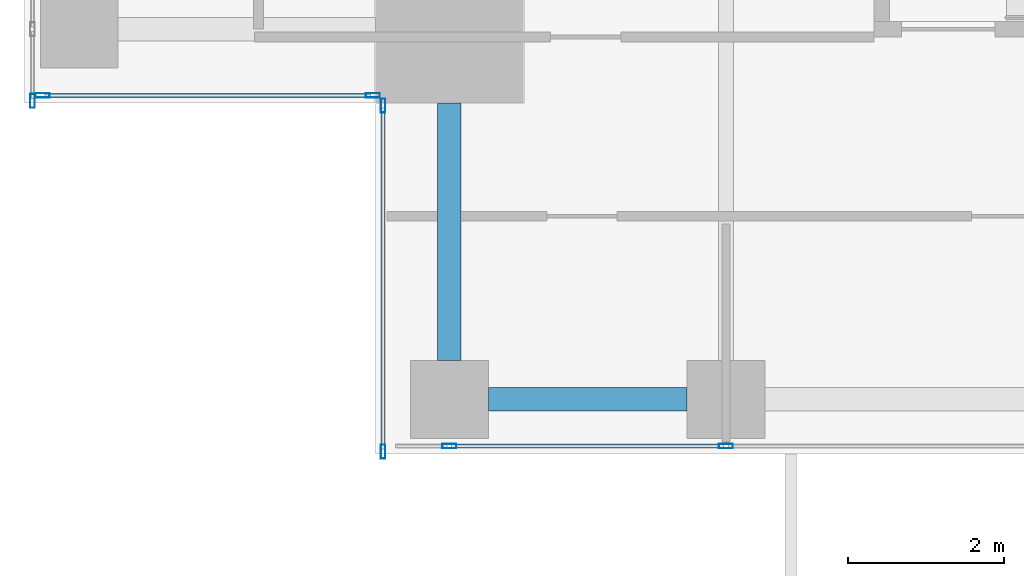
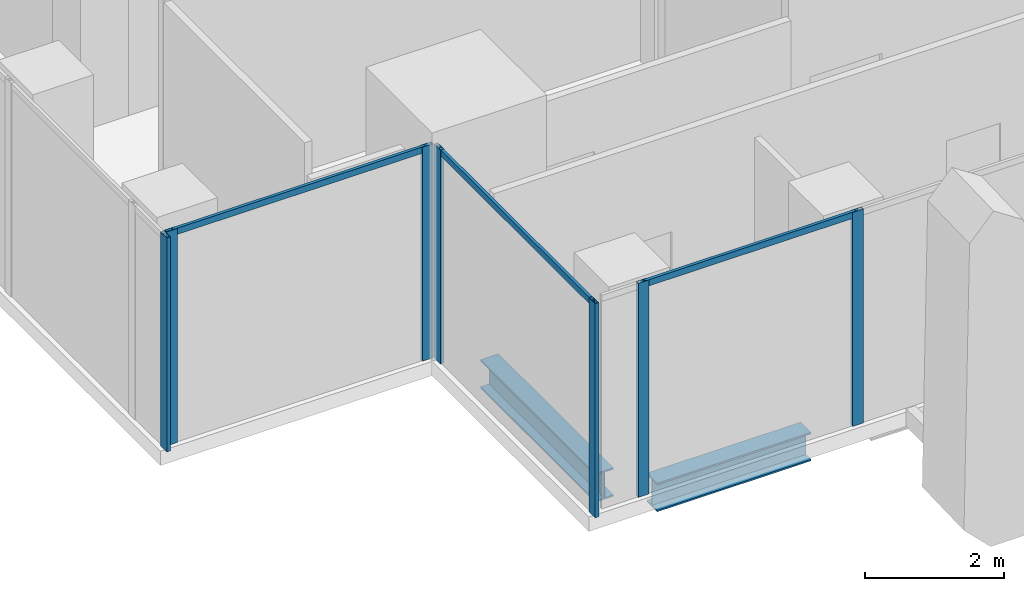
# One storey, part 2 of 38: 10 members, 2 beams, 4 elements without a shape of their own.
"""IFC4 building model written with IfcOpenShell, lengths in metres."""

from ifc_helpers import new_model, si_unit, direction, frame, origin, origin_2d, place, context, subcontext, project, spatial, hollow_rectangle, i_section, extrude, source, transform, mapped, material, material_profile, profile_set, type_object, element, aggregate, save


model = new_model("IFC4")

# Units and contexts
model_context = context("Model", 3, precision=1e-05, world=origin(), true_north=direction((0.0, 1.0)))
body_context = subcontext(model_context, "Body", "Model", "MODEL_VIEW")
ifc_project = project(units=[si_unit("LENGTHUNIT", "METRE"), si_unit("AREAUNIT", "SQUARE_METRE"), si_unit("VOLUMEUNIT", "CUBIC_METRE"), si_unit("PLANEANGLEUNIT", "RADIAN"), si_unit("MASSUNIT", "GRAM", prefix="KILO")], contexts=[model_context])

# Site, building, storey
site_placement = place(None, origin())
site = spatial("IfcSite", under=ifc_project, at=site_placement, CompositionType="ELEMENT")
building_placement = place(site_placement, origin())
building = spatial("IfcBuilding", under=site, at=building_placement, Name="Khomas Fold Tower", CompositionType="ELEMENT")
storey_placement = place(building_placement, frame((0.0, 0.0, 208.699951171875)))
storey = spatial("IfcBuildingStorey", under=building, at=storey_placement, Name="L46", CompositionType="ELEMENT", Elevation=208.699951171875)

# Beams
ifc_material_1 = material(Name="Steel S355", Category="steel")
ifc_material_profile_1 = material_profile(ifc_material_1, i_section(OverallWidth=0.300048828125, OverallDepth=0.5, WebThickness=0.014404296875, FlangeThickness=0.028076171875, at=origin_2d()), Name="HE 500 B")
ifc_profile_set_1 = profile_set([ifc_material_profile_1], Name="Steel S355")
beam_type = type_object("IfcBeamType", Name="HE 500 B spandrel SB3", PredefinedType="SPANDREL", material=ifc_profile_set_1)
shared_shape_1 = source(origin(), body_context, "Body", "SweptSolid", [
    extrude(i_section(OverallWidth=0.300048828125, OverallDepth=0.5, WebThickness=0.014404296875, FlangeThickness=0.028076171875, at=origin_2d()), origin(), (0.0, 0.0, 1.0), 2.550048828125),
])
beam_1_placement = place(storey_placement, frame((8.949951171875, 3.699951171875, -0.5), z_axis=(1.0, 0.0, 0.0), x_axis=(0.0, 1.0, 0.0)))
element("IfcBeam", 1, at=beam_1_placement, inside=storey, type_object=beam_type, Name="SB3", PredefinedType="SPANDREL", context=body_context, shape_type="MappedRepresentation", body=[
    mapped(shared_shape_1, transform((0.0, 0.0, 0.0))),
])
shared_shape_2 = source(origin(), body_context, "Body", "SweptSolid", [
    extrude(i_section(OverallWidth=0.300048828125, OverallDepth=0.5, WebThickness=0.014404296875, FlangeThickness=0.028076171875, at=origin_2d()), origin(), (0.0, 0.0, 1.0), 3.300048828125),
])
beam_2_placement = place(storey_placement, frame((8.449951171875, 4.199951171875, -0.5), z_axis=(0.0, 1.0, 0.0), x_axis=(-1.0, 0.0, 0.0)))
element("IfcBeam", 2, at=beam_2_placement, inside=storey, type_object=beam_type, Name="SB3", PredefinedType="SPANDREL", context=body_context, shape_type="MappedRepresentation", body=[
    mapped(shared_shape_2, transform((0.0, 0.0, 0.0))),
])

# Curtain wall, members
ifc_material_2 = material(Name="Aluminium framed double glazing", Category="aluminium")
curtain_wall_type = type_object("IfcCurtainWallType", Name="SK-Unitised clear-glass wall, office floors CW2", PredefinedType="NOTDEFINED", material=ifc_material_2)
curtain_wall_1_placement = place(storey_placement, origin())
curtain_wall_1 = element("IfcCurtainWall", 3, at=curtain_wall_1_placement, inside=storey, type_object=curtain_wall_type, Name="CW2 run L46 00-0", PredefinedType="NOTDEFINED")
ifc_material_3 = material(Name="Aluminium", Category="aluminium")
ifc_material_profile_2 = material_profile(ifc_material_3, hollow_rectangle(XDim=0.06005859375, YDim=0.179931640625, WallThickness=0.00390625, at=origin_2d()), Name="SK-Unitised clear-glass wall, office floors mullion CW2-M")
ifc_profile_set_2 = profile_set([ifc_material_profile_2], Name="Aluminium")
member_type_1 = type_object("IfcMemberType", Name="SK-Unitised clear-glass wall, office floors mullion CW2-M", PredefinedType="MULLION", material=ifc_profile_set_2)
shared_shape_3 = source(origin(), body_context, "Body", "SweptSolid", [
    extrude(hollow_rectangle(XDim=0.06005859375, YDim=0.179931640625, WallThickness=0.00390625, at=origin_2d()), origin(), (0.0, 0.0, 1.0), 3.75),
])
member_1_placement = place(storey_placement, frame((8.449951171875, 3.10009765625, 0.0), z_axis=(0.0, 0.0, 1.0), x_axis=(0.0, 1.0, 0.0)))
member_1 = element("IfcMember", 4, at=member_1_placement, type_object=member_type_1, Name="CW2 mullion 2", PredefinedType="MULLION", context=body_context, shape_type="MappedRepresentation", body=[
    mapped(shared_shape_3, transform((0.0, 0.0, 0.0))),
])
member_2_placement = place(storey_placement, frame((12.0, 3.10009765625, 0.0), z_axis=(0.0, 0.0, 1.0), x_axis=(0.0, 1.0, 0.0)))
member_2 = element("IfcMember", 5, at=member_2_placement, type_object=member_type_1, Name="CW2 mullion 3", PredefinedType="MULLION", context=body_context, shape_type="MappedRepresentation", body=[
    mapped(shared_shape_3, transform((0.0, 0.0, 0.0))),
])

# Curtain wall, member
curtain_wall_2_placement = place(storey_placement, origin())
curtain_wall_2 = element("IfcCurtainWall", 6, at=curtain_wall_2_placement, inside=storey, type_object=curtain_wall_type, Name="CW2 run L46 09-0", PredefinedType="NOTDEFINED")
member_3_placement = place(storey_placement, frame((3.10009765625, 7.530029296875, 0.0), z_axis=(0.0, 0.0, 1.0), x_axis=(1.0, 0.0, 0.0)))
member_3 = element("IfcMember", 7, at=member_3_placement, type_object=member_type_1, Name="CW2 mullion 9", PredefinedType="MULLION", context=body_context, shape_type="MappedRepresentation", body=[
    mapped(shared_shape_3, transform((0.0, 0.0, 0.0))),
])
aggregate(curtain_wall_2, [member_3])

# Curtain wall, members
curtain_wall_3_placement = place(storey_placement, origin())
curtain_wall_3 = element("IfcCurtainWall", 8, at=curtain_wall_3_placement, inside=storey, type_object=curtain_wall_type, Name="CW2 corner return L46 10", PredefinedType="NOTDEFINED")
member_4_placement = place(storey_placement, frame((3.22998046875, 7.60009765625, 0.0), z_axis=(0.0, 0.0, 1.0), x_axis=(0.0, 1.0, 0.0)))
member_4 = element("IfcMember", 9, at=member_4_placement, type_object=member_type_1, Name="CW2 mullion 1", PredefinedType="MULLION", context=body_context, shape_type="MappedRepresentation", body=[
    mapped(shared_shape_3, transform((0.0, 0.0, 0.0))),
])
member_5_placement = place(storey_placement, frame((7.469970703125, 7.60009765625, 0.0), z_axis=(0.0, 0.0, 1.0), x_axis=(0.0, 1.0, 0.0)))
member_5 = element("IfcMember", 10, at=member_5_placement, type_object=member_type_1, Name="CW2 mullion 2", PredefinedType="MULLION", context=body_context, shape_type="MappedRepresentation", body=[
    mapped(shared_shape_3, transform((0.0, 0.0, 0.0))),
])

curtain_wall_4_placement = place(storey_placement, origin())
curtain_wall_4 = element("IfcCurtainWall", 11, at=curtain_wall_4_placement, inside=storey, type_object=curtain_wall_type, Name="CW2 corner return L46 11", PredefinedType="NOTDEFINED")
member_6_placement = place(storey_placement, frame((7.60009765625, 7.469970703125, 0.0), z_axis=(0.0, 0.0, 1.0), x_axis=(1.0, 0.0, 0.0)))
member_6 = element("IfcMember", 12, at=member_6_placement, type_object=member_type_1, Name="CW2 mullion 1", PredefinedType="MULLION", context=body_context, shape_type="MappedRepresentation", body=[
    mapped(shared_shape_3, transform((0.0, 0.0, 0.0))),
])
member_7_placement = place(storey_placement, frame((7.60009765625, 3.030029296875, 0.0), z_axis=(0.0, 0.0, 1.0), x_axis=(1.0, 0.0, 0.0)))
member_7 = element("IfcMember", 13, at=member_7_placement, type_object=member_type_1, Name="CW2 mullion 2", PredefinedType="MULLION", context=body_context, shape_type="MappedRepresentation", body=[
    mapped(shared_shape_3, transform((0.0, 0.0, 0.0))),
])
ifc_material_4 = material(Name="Aluminium", Category="aluminium")
ifc_material_profile_3 = material_profile(ifc_material_4, hollow_rectangle(XDim=0.050048828125, YDim=0.110107421875, WallThickness=0.00390625, at=origin_2d()), Name="SK-Unitised clear-glass wall, office floors transom CW2-T")
ifc_profile_set_3 = profile_set([ifc_material_profile_3], Name="Aluminium")
member_type_2 = type_object("IfcMemberType", Name="SK-Unitised clear-glass wall, office floors transom CW2-T", PredefinedType="USERDEFINED", material=ifc_profile_set_3)
shared_shape_4 = source(origin(), body_context, "Body", "SweptSolid", [
    extrude(hollow_rectangle(XDim=0.050048828125, YDim=0.110107421875, WallThickness=0.00390625, at=origin_2d()), origin(), (0.0, 0.0, 1.0), 4.3798828125),
])
member_8_placement = place(storey_placement, frame((7.60009765625, 7.43994140625, 3.695068359375), z_axis=(0.0, -1.0, 0.0), x_axis=(1.0, 0.0, 0.0)))
member_8 = element("IfcMember", 14, at=member_8_placement, type_object=member_type_2, Name="CW2 transom 1", ObjectType="TRANSOM", PredefinedType="USERDEFINED", context=body_context, shape_type="MappedRepresentation", body=[
    mapped(shared_shape_4, transform((0.0, 0.0, 0.0))),
])
aggregate(curtain_wall_4, [member_6, member_7, member_8])

# Member
shared_shape_5 = source(origin(), body_context, "Body", "SweptSolid", [
    extrude(hollow_rectangle(XDim=0.050048828125, YDim=0.110107421875, WallThickness=0.00390625, at=origin_2d()), origin(), (0.0, 0.0, 1.0), 3.489990234375),
])
member_9_placement = place(storey_placement, frame((8.47998046875, 3.10009765625, 3.695068359375), z_axis=(1.0, 0.0, 0.0), x_axis=(0.0, 1.0, 0.0)))
member_9 = element("IfcMember", 15, at=member_9_placement, type_object=member_type_2, Name="CW2 transom 2", ObjectType="TRANSOM", PredefinedType="USERDEFINED", context=body_context, shape_type="MappedRepresentation", body=[
    mapped(shared_shape_5, transform((0.0, 0.0, 0.0))),
])

aggregate(curtain_wall_1, [member_1, member_2, member_9])

shared_shape_6 = source(origin(), body_context, "Body", "SweptSolid", [
    extrude(hollow_rectangle(XDim=0.050048828125, YDim=0.110107421875, WallThickness=0.00390625, at=origin_2d()), origin(), (0.0, 0.0, 1.0), 4.179931640625),
])
member_10_placement = place(storey_placement, frame((3.260009765625, 7.60009765625, 3.695068359375), z_axis=(1.0, 0.0, 0.0), x_axis=(0.0, 1.0, 0.0)))
member_10 = element("IfcMember", 16, at=member_10_placement, type_object=member_type_2, Name="CW2 transom 1", ObjectType="TRANSOM", PredefinedType="USERDEFINED", context=body_context, shape_type="MappedRepresentation", body=[
    mapped(shared_shape_6, transform((0.0, 0.0, 0.0))),
])

aggregate(curtain_wall_3, [member_4, member_5, member_10])

save(model, "model.ifc")
